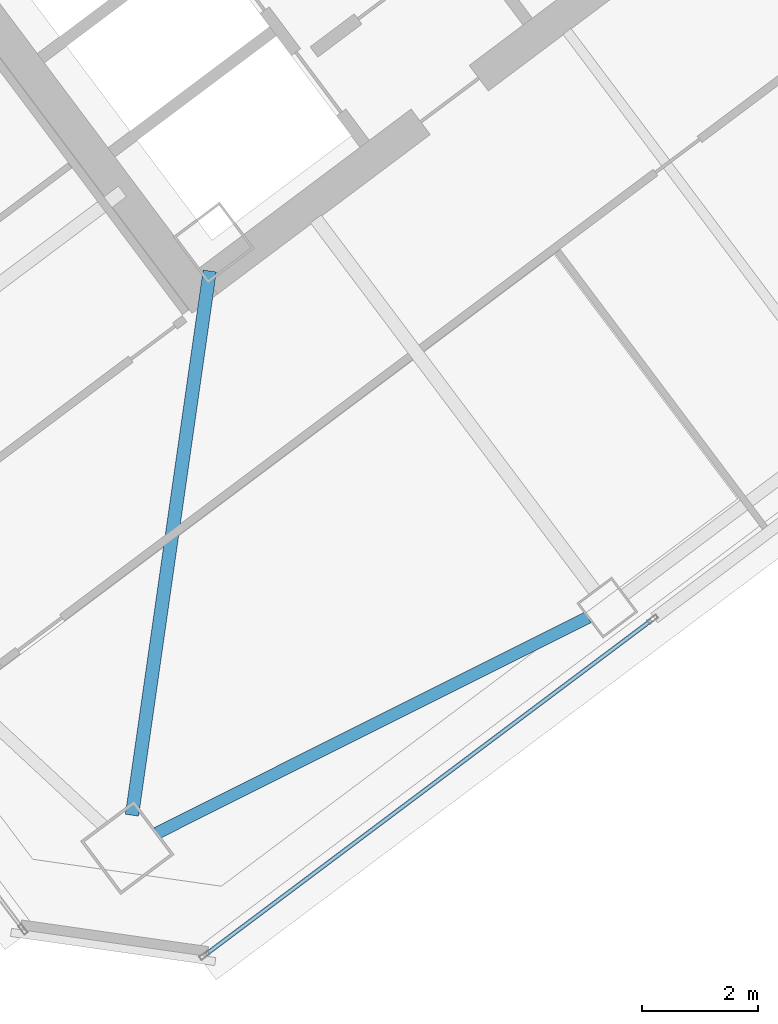
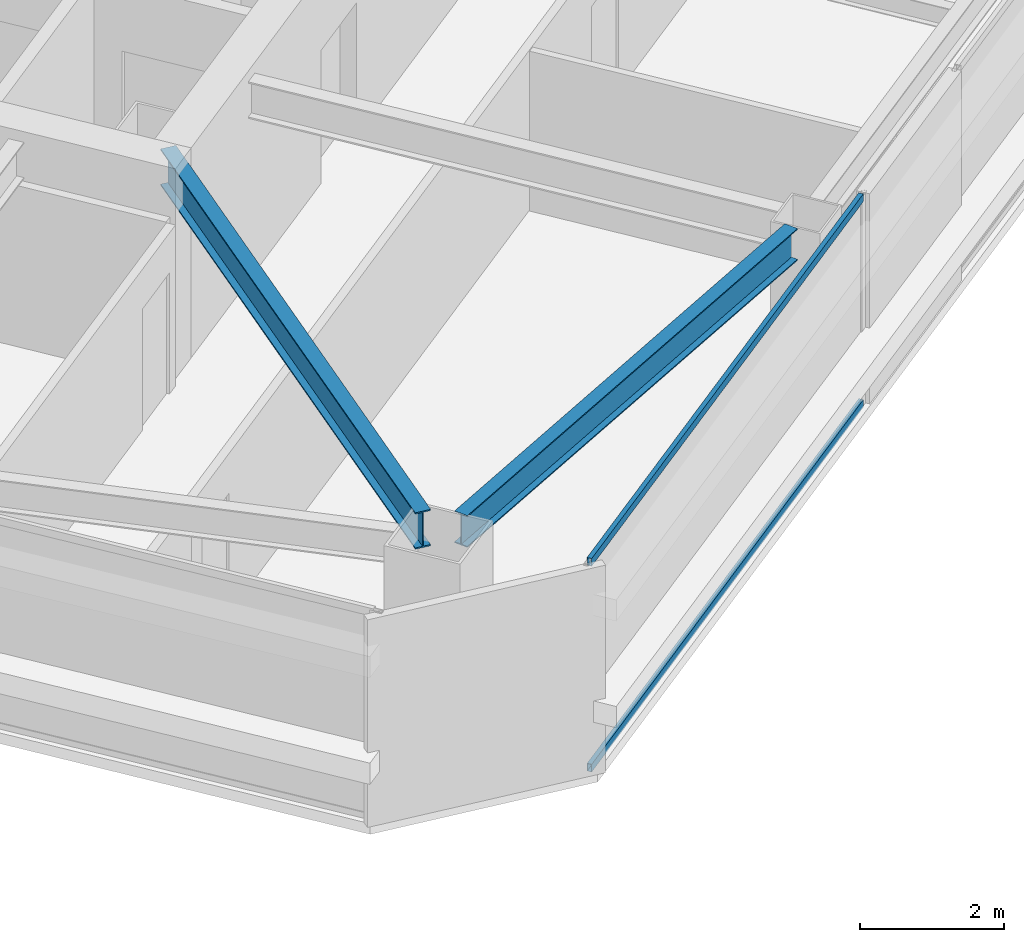
# One storey, part 18 of 43: 2 beams, 2 members, 1 element without a shape of its own.
"""IFC4 building model written with IfcOpenShell, lengths in metres."""

from ifc_helpers import new_model, si_unit, direction, frame, origin, origin_2d, place, context, subcontext, project, spatial, hollow_rectangle, i_section, extrude, material, material_profile, profile_set, type_object, element, aggregate, save


model = new_model("IFC4")

# Units and contexts
model_context = context("Model", 3, precision=1e-05, world=origin(), true_north=direction((0.0, 1.0)))
body_context = subcontext(model_context, "Body", "Model", "MODEL_VIEW")
ifc_project = project(units=[si_unit("LENGTHUNIT", "METRE"), si_unit("AREAUNIT", "SQUARE_METRE"), si_unit("VOLUMEUNIT", "CUBIC_METRE"), si_unit("PLANEANGLEUNIT", "RADIAN"), si_unit("MASSUNIT", "GRAM", prefix="KILO")], contexts=[model_context])

# Site, building, storey
site_placement = place(None, origin())
site = spatial("IfcSite", under=ifc_project, at=site_placement, CompositionType="ELEMENT")
building_placement = place(site_placement, origin())
building = spatial("IfcBuilding", under=site, at=building_placement, Name="Tashvorn Skyway Center", CompositionType="ELEMENT")
storey_placement = place(building_placement, frame((0.0, 0.0, 188.949951171875)))
storey = spatial("IfcBuildingStorey", under=building, at=storey_placement, Name="L51", CompositionType="ELEMENT", Elevation=188.949951171875)

# Beams
ifc_material_1 = material(Name="Steel ASTM A992 Grade 50", Category="steel")
ifc_material_profile_1 = material_profile(ifc_material_1, i_section(OverallWidth=0.22998046875, OverallDepth=0.616943359375, WebThickness=0.01318359375, FlangeThickness=0.022216796875, at=origin_2d()), Name="W24X94")
ifc_profile_set_1 = profile_set([ifc_material_profile_1], Name="Steel ASTM A992 Grade 50")
beam_type_1 = type_object("IfcBeamType", Name="BM-BEAM-W24X94", PredefinedType="BEAM", material=ifc_profile_set_1)
beam_1_placement = place(storey_placement, frame((111.1806640625, 12.26416015625, 3.0615234375), z_axis=(0.141417747326, 0.989950009213, 0.0), x_axis=(-0.989950009213, 0.141417747326, 0.0)))
element("IfcBeam", 1, at=beam_1_placement, inside=storey, type_object=beam_type_1, Name="Tower 2 L51 Primary Floor Girder MC-SW", PredefinedType="BEAM", context=body_context, shape_type="SweptSolid", body=[
    extrude(i_section(OverallWidth=0.22998046875, OverallDepth=0.616943359375, WebThickness=0.01318359375, FlangeThickness=0.022216796875, at=origin_2d()), origin(), (0.0, 0.0, 1.0), 9.470947265625),
])
ifc_material_profile_2 = material_profile(ifc_material_1, i_section(OverallWidth=0.2109375, OverallDepth=0.5390625, WebThickness=0.01171875, FlangeThickness=0.018798828125, at=origin_2d()), Name="W21X73")
ifc_profile_set_2 = profile_set([ifc_material_profile_2], Name="Steel ASTM A992 Grade 50")
beam_type_2 = type_object("IfcBeamType", Name="BM-SPANDREL-W21X73", PredefinedType="SPANDREL", material=ifc_profile_set_2)
beam_2_placement = place(storey_placement, frame((111.609619140625, 11.955078125, 3.1005859375), z_axis=(0.894209637559, 0.447648438059, 0.0), x_axis=(-0.447648438059, 0.894209637559, 0.0)))
element("IfcBeam", 2, at=beam_2_placement, inside=storey, type_object=beam_type_2, Name="Tower 2 L51 Spandrel Beam 01", PredefinedType="SPANDREL", context=body_context, shape_type="SweptSolid", body=[
    extrude(i_section(OverallWidth=0.2109375, OverallDepth=0.5390625, WebThickness=0.01171875, FlangeThickness=0.018798828125, at=origin_2d()), origin(), (0.0, 0.0, 1.0), 8.308349609375),
])

# Curtain wall, members
ifc_material_2 = material(Name="Thermally broken bronze-anodized aluminium 6063-T6", Category="aluminium")
curtain_wall_type = type_object("IfcCurtainWallType", Name="CW-CW-Z4", PredefinedType="NOTDEFINED", material=ifc_material_2)
curtain_wall_placement = place(storey_placement, origin())
curtain_wall = element("IfcCurtainWall", 3, at=curtain_wall_placement, inside=storey, type_object=curtain_wall_type, Name="Tower 2 L51 South Unitised Curtain Wall Glazing Group 3", PredefinedType="NOTDEFINED")
ifc_material_profile_3 = material_profile(ifc_material_2, hollow_rectangle(XDim=0.070068359375, YDim=0.1298828125, WallThickness=0.00390625, at=origin_2d()), Name="ALU-TRAN-70x130")
ifc_profile_set_3 = profile_set([ifc_material_profile_3], Name="Thermally broken bronze-anodized aluminium 6063-T6")
member_type = type_object("IfcMemberType", Name="CWT-CW-Z4", PredefinedType="USERDEFINED", material=ifc_profile_set_3)
member_1_placement = place(storey_placement, frame((120.1240234375, 15.617919921875, 0.03515625), z_axis=(-0.800012232437, -0.599983689738, 0.0), x_axis=(0.599983689738, -0.800012232437, 0.0)))
member_1 = element("IfcMember", 4, at=member_1_placement, type_object=member_type, Name="CW-Z4 transom 1.1", ObjectType="TRANSOM", PredefinedType="USERDEFINED", context=body_context, shape_type="SweptSolid", body=[
    extrude(hollow_rectangle(XDim=0.070068359375, YDim=0.1298828125, WallThickness=0.00390625, at=origin_2d()), origin(), (0.0, 0.0, 1.0), 9.579833984375),
])
member_2_placement = place(storey_placement, frame((120.1240234375, 15.617919921875, 3.51513671875), z_axis=(-0.800012232437, -0.599983689738, 0.0), x_axis=(0.599983689738, -0.800012232437, 0.0)))
member_2 = element("IfcMember", 5, at=member_2_placement, type_object=member_type, Name="CW-Z4 transom 1.2", ObjectType="TRANSOM", PredefinedType="USERDEFINED", context=body_context, shape_type="SweptSolid", body=[
    extrude(hollow_rectangle(XDim=0.070068359375, YDim=0.1298828125, WallThickness=0.00390625, at=origin_2d()), origin(), (0.0, 0.0, 1.0), 9.579833984375),
])
aggregate(curtain_wall, [member_1, member_2])

save(model, "model.ifc")
